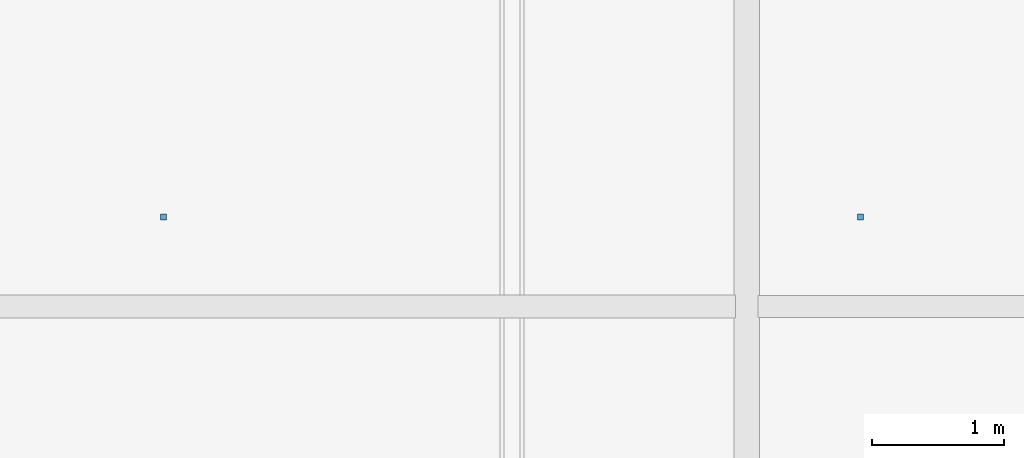
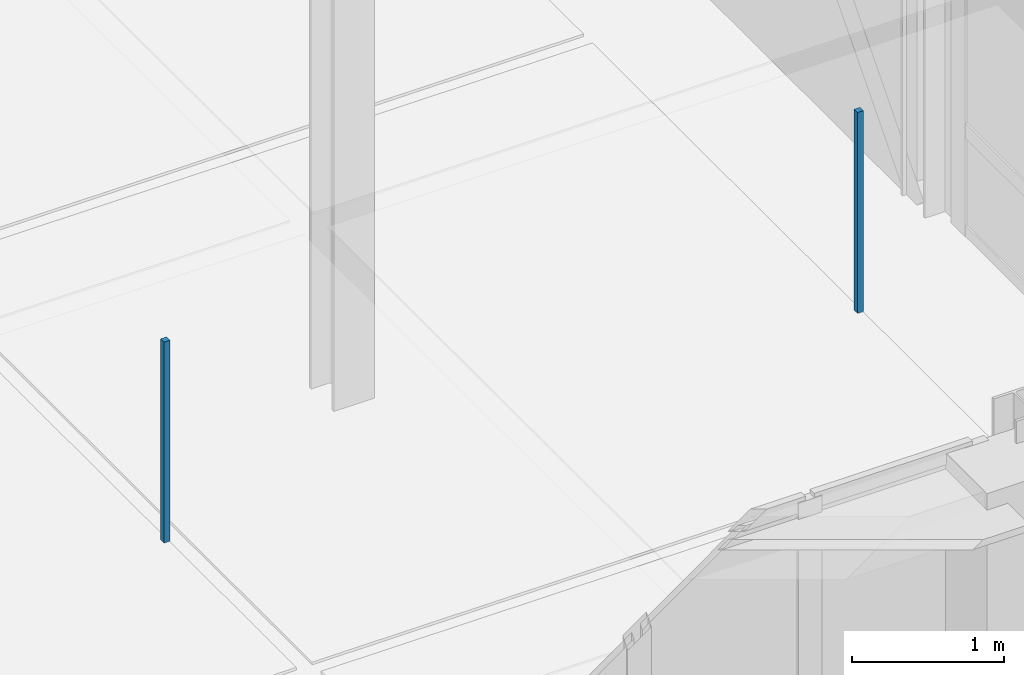
# One storey, part 155 of 180: 2 discrete accessories.
"""IFC4 building model written with IfcOpenShell, lengths in metres."""

from ifc_helpers import new_model, si_unit, direction, frame, origin, origin_2d, place, context, subcontext, project, spatial, rectangle, extrude, material, type_object, element, save


model = new_model("IFC4")

# Units and contexts
model_context = context("Model", 3, precision=1e-05, world=origin(), true_north=direction((0.0, 1.0)))
body_context = subcontext(model_context, "Body", "Model", "MODEL_VIEW")
ifc_project = project(units=[si_unit("LENGTHUNIT", "METRE"), si_unit("AREAUNIT", "SQUARE_METRE"), si_unit("VOLUMEUNIT", "CUBIC_METRE"), si_unit("PLANEANGLEUNIT", "RADIAN"), si_unit("MASSUNIT", "GRAM", prefix="KILO"), si_unit("THERMODYNAMICTEMPERATUREUNIT", "KELVIN"), si_unit("POWERUNIT", "WATT")], contexts=[model_context])

# Site, building, storey
site_placement = place(None, origin())
site = spatial("IfcSite", under=ifc_project, at=site_placement, CompositionType="ELEMENT")
building_placement = place(site_placement, origin())
building = spatial("IfcBuilding", under=site, at=building_placement, Name="Tallowbark Science Centre", CompositionType="ELEMENT")
storey_placement = place(building_placement, origin())
storey = spatial("IfcBuildingStorey", under=building, at=storey_placement, Name="L00", CompositionType="ELEMENT", Elevation=0.0)

# Discrete accessories
ifc_material = material(Name="Galvanised Steel Grade C350L0 (350 MPa)", Category="steel")
discrete_accessory_type = type_object("IfcDiscreteAccessoryType", Name="ACC-CLG-HNG", PredefinedType="BRACKET", material=ifc_material)
for number, where, z_axis, x_axis, name in (
    (1, (153.083251953125, 75.6787109375, 3.60595703125), (0.0, 0.0, 1.0), (1.0, 0.0, 0.0), "Ceiling Hanger Bracket L00-451"),
    (2, (158.361083984375, 75.6787109375, 3.60595703125), (0.0, 0.0, 1.0), (1.0, 0.0, 0.0), "Ceiling Hanger Bracket L00-458"),
):
    element("IfcDiscreteAccessory", number, at=place(storey_placement, frame(where, z_axis=z_axis, x_axis=x_axis)), inside=storey, type_object=discrete_accessory_type, Name=name, PredefinedType="BRACKET", context=body_context, shape_type="SweptSolid", body=[
        extrude(rectangle(XDim=0.044921875, YDim=0.044921875, at=origin_2d()), origin(), (0.0, 0.0, 1.0), 1.616943359375),
    ])

save(model, "model.ifc")
